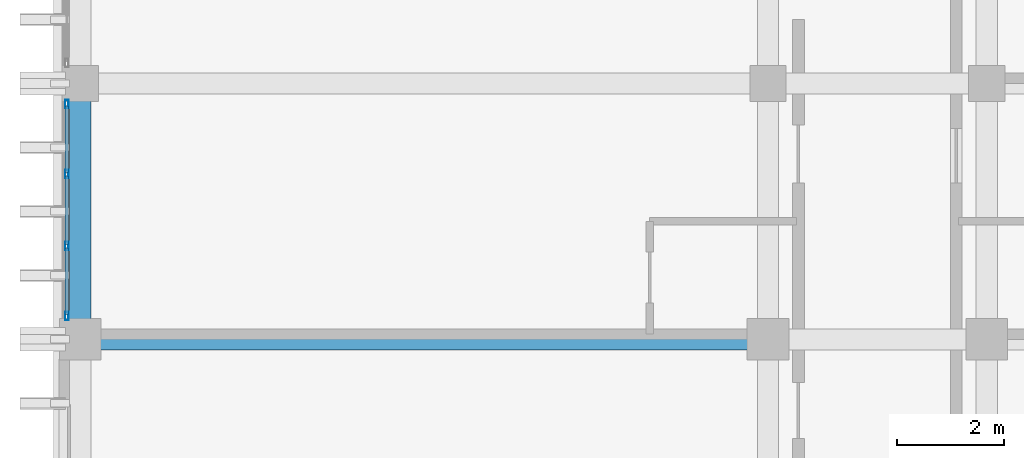
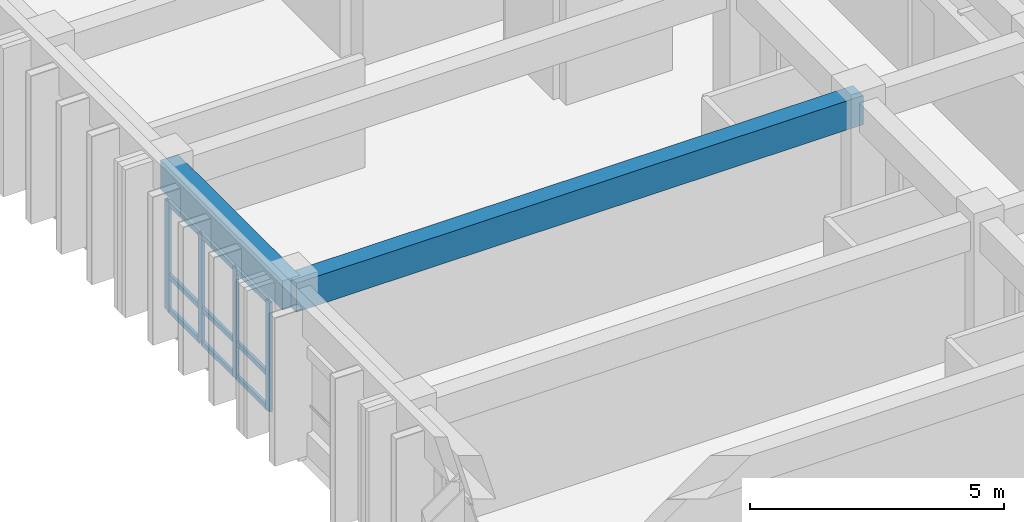
# One storey, part 20 of 68: 13 members, 2 beams, 1 element without a shape of its own.
"""IFC4 building model written with IfcOpenShell, lengths in metres."""

from ifc_helpers import new_model, si_unit, direction, frame, origin, origin_2d, place, context, subcontext, project, spatial, rectangle, hollow_rectangle, extrude, material, layer, layer_set, material_profile, profile_set, type_object, element, aggregate, save


model = new_model("IFC4")

# Units and contexts
model_context = context("Model", 3, precision=1e-05, world=origin(), true_north=direction((0.0, 1.0)))
body_context = subcontext(model_context, "Body", "Model", "MODEL_VIEW")
ifc_project = project(units=[si_unit("LENGTHUNIT", "METRE"), si_unit("AREAUNIT", "SQUARE_METRE"), si_unit("VOLUMEUNIT", "CUBIC_METRE"), si_unit("PLANEANGLEUNIT", "RADIAN"), si_unit("MASSUNIT", "GRAM", prefix="KILO")], contexts=[model_context])

# Site, building, storey
site_placement = place(None, origin())
site = spatial("IfcSite", under=ifc_project, at=site_placement, CompositionType="ELEMENT")
building_placement = place(site_placement, origin())
building = spatial("IfcBuilding", under=site, at=building_placement, Name="Nakhvara Creek Congress Hotel", CompositionType="ELEMENT")
storey_placement = place(building_placement, frame((0.0, 0.0, 24.60009765625)))
storey = spatial("IfcBuildingStorey", under=building, at=storey_placement, Name="L05", CompositionType="ELEMENT", Elevation=24.60009765625)

# Beams
ifc_material_1 = material(Name="Concrete C40/50", Category="concrete")
ifc_material_profile_1 = material_profile(ifc_material_1, rectangle(XDim=0.39990234375, YDim=0.699951171875, at=origin_2d()), Name="RC-BM 400x700", Category="LoadBearing")
ifc_profile_set_1 = profile_set([ifc_material_profile_1], Name="Concrete C40/50")
beam_type = type_object("IfcBeamType", Name="BM-RC-400X700", PredefinedType="BEAM", material=ifc_profile_set_1)
beam_1_placement = place(storey_placement, frame((149.449951171875, 67.199951171875, 2.989990234375), z_axis=(1.0, 0.0, 0.0), x_axis=(0.0, 1.0, 0.0)))
element("IfcBeam", 1, at=beam_1_placement, inside=storey, type_object=beam_type, Name="Beam B05-L05-2069", PredefinedType="BEAM", context=body_context, shape_type="SweptSolid", body=[
    extrude(rectangle(XDim=0.39990234375, YDim=0.699951171875, at=origin_2d()), origin(), (0.0, 0.0, 1.0), 12.900146484375),
])
beam_2_placement = place(storey_placement, frame((149.449951171875, 67.199951171875, 2.989990234375), z_axis=(0.0, 1.0, 0.0), x_axis=(-1.0, 0.0, 0.0)))
element("IfcBeam", 2, at=beam_2_placement, inside=storey, type_object=beam_type, Name="Beam B05-L05-2071", PredefinedType="BEAM", context=body_context, shape_type="SweptSolid", body=[
    extrude(rectangle(XDim=0.39990234375, YDim=0.699951171875, at=origin_2d()), origin(), (0.0, 0.0, 1.0), 4.800048828125),
])

# Curtain wall, members
ifc_material_2 = material(Name="Bronze-anodised aluminium AW-6063-T6 and double-silver low-E glass", Category="aluminium")
ifc_layer = layer(ifc_material_2, 0.199951171875)
ifc_layer_set = layer_set([ifc_layer], Name="Bronze-anodised aluminium AW-6063-T6 and double-silver low-E glass")
curtain_wall_type = type_object("IfcCurtainWallType", Name="CW-HTL-UNIT", PredefinedType="USERDEFINED", material=ifc_layer_set)
curtain_wall_placement = place(storey_placement, origin())
curtain_wall = element("IfcCurtainWall", 3, at=curtain_wall_placement, inside=storey, type_object=curtain_wall_type, Name="Curtain Wall CW213", ObjectType="UNITISED", PredefinedType="USERDEFINED")
ifc_material_3 = material(Name="Bronze-anodised aluminium AW-6063-T6", Category="aluminium")
ifc_material_profile_2 = material_profile(ifc_material_3, hollow_rectangle(XDim=0.06494140625, YDim=0.159912109375, WallThickness=0.00390625, at=origin_2d()), Name="ALU-MULL 65x160x4", Category="LoadBearing")
ifc_profile_set_2 = profile_set([ifc_material_profile_2], Name="Bronze-anodised aluminium AW-6063-T6")
member_type_1 = type_object("IfcMemberType", Name="CW-MULL-160", PredefinedType="MULLION", material=ifc_profile_set_2)
member_1_placement = place(storey_placement, frame((149.199951171875, 67.637451171875, 0.0), z_axis=(0.0, 0.0, 1.0), x_axis=(-1.0, 0.0, 0.0)))
member_1 = element("IfcMember", 4, at=member_1_placement, type_object=member_type_1, Name="CW213 mullion 1", PredefinedType="MULLION", context=body_context, shape_type="SweptSolid", body=[
    extrude(hollow_rectangle(XDim=0.06494140625, YDim=0.159912109375, WallThickness=0.00390625, at=origin_2d()), origin(), (0.0, 0.0, 1.0), 2.6318359375),
])
member_2_placement = place(storey_placement, frame((149.199951171875, 68.95166015625, 0.0), z_axis=(0.0, 0.0, 1.0), x_axis=(-1.0, 0.0, 0.0)))
member_2 = element("IfcMember", 5, at=member_2_placement, type_object=member_type_1, Name="CW213 mullion 2", PredefinedType="MULLION", context=body_context, shape_type="SweptSolid", body=[
    extrude(hollow_rectangle(XDim=0.06494140625, YDim=0.159912109375, WallThickness=0.00390625, at=origin_2d()), origin(), (0.0, 0.0, 1.0), 2.6318359375),
])
member_3_placement = place(storey_placement, frame((149.199951171875, 70.29833984375, 0.0), z_axis=(0.0, 0.0, 1.0), x_axis=(-1.0, 0.0, 0.0)))
member_3 = element("IfcMember", 6, at=member_3_placement, type_object=member_type_1, Name="CW213 mullion 3", PredefinedType="MULLION", context=body_context, shape_type="SweptSolid", body=[
    extrude(hollow_rectangle(XDim=0.06494140625, YDim=0.159912109375, WallThickness=0.00390625, at=origin_2d()), origin(), (0.0, 0.0, 1.0), 2.6318359375),
])
member_4_placement = place(storey_placement, frame((149.199951171875, 71.612548828125, 0.0), z_axis=(0.0, 0.0, 1.0), x_axis=(-1.0, 0.0, 0.0)))
member_4 = element("IfcMember", 7, at=member_4_placement, type_object=member_type_1, Name="CW213 mullion 4", PredefinedType="MULLION", context=body_context, shape_type="SweptSolid", body=[
    extrude(hollow_rectangle(XDim=0.06494140625, YDim=0.159912109375, WallThickness=0.00390625, at=origin_2d()), origin(), (0.0, 0.0, 1.0), 2.6318359375),
])
ifc_material_profile_3 = material_profile(ifc_material_3, hollow_rectangle(XDim=0.06494140625, YDim=0.1201171875, WallThickness=0.00390625, at=origin_2d()), Name="ALU-TRAN 65x120x4", Category="LoadBearing")
ifc_profile_set_3 = profile_set([ifc_material_profile_3], Name="Bronze-anodised aluminium AW-6063-T6")
member_type_2 = type_object("IfcMemberType", Name="CW-TRAN-120", PredefinedType="USERDEFINED", material=ifc_profile_set_3)
member_5_placement = place(storey_placement, frame((149.199951171875, 67.669921875, 0.032470703125), z_axis=(0.0, 1.0, 0.0), x_axis=(-1.0, 0.0, 0.0)))
member_5 = element("IfcMember", 8, at=member_5_placement, type_object=member_type_2, Name="CW213 transom 1.1", ObjectType="TRANSOM", PredefinedType="USERDEFINED", context=body_context, shape_type="SweptSolid", body=[
    extrude(hollow_rectangle(XDim=0.06494140625, YDim=0.1201171875, WallThickness=0.00390625, at=origin_2d()), origin(), (0.0, 0.0, 1.0), 1.249267578125),
])
member_6_placement = place(storey_placement, frame((149.199951171875, 67.669921875, 0.849853515625), z_axis=(0.0, 1.0, 0.0), x_axis=(-1.0, 0.0, 0.0)))
member_6 = element("IfcMember", 9, at=member_6_placement, type_object=member_type_2, Name="CW213 transom 1.2", ObjectType="TRANSOM", PredefinedType="USERDEFINED", context=body_context, shape_type="SweptSolid", body=[
    extrude(hollow_rectangle(XDim=0.06494140625, YDim=0.1201171875, WallThickness=0.00390625, at=origin_2d()), origin(), (0.0, 0.0, 1.0), 1.249267578125),
])
member_7_placement = place(storey_placement, frame((149.199951171875, 67.669921875, 2.599365234375), z_axis=(0.0, 1.0, 0.0), x_axis=(-1.0, 0.0, 0.0)))
member_7 = element("IfcMember", 10, at=member_7_placement, type_object=member_type_2, Name="CW213 transom 1.3", ObjectType="TRANSOM", PredefinedType="USERDEFINED", context=body_context, shape_type="SweptSolid", body=[
    extrude(hollow_rectangle(XDim=0.06494140625, YDim=0.1201171875, WallThickness=0.00390625, at=origin_2d()), origin(), (0.0, 0.0, 1.0), 1.249267578125),
])
member_8_placement = place(storey_placement, frame((149.199951171875, 68.984130859375, 0.032470703125), z_axis=(0.0, 1.0, 0.0), x_axis=(-1.0, 0.0, 0.0)))
member_8 = element("IfcMember", 11, at=member_8_placement, type_object=member_type_2, Name="CW213 transom 2.1", ObjectType="TRANSOM", PredefinedType="USERDEFINED", context=body_context, shape_type="SweptSolid", body=[
    extrude(hollow_rectangle(XDim=0.06494140625, YDim=0.1201171875, WallThickness=0.00390625, at=origin_2d()), origin(), (0.0, 0.0, 1.0), 1.28173828125),
])
member_9_placement = place(storey_placement, frame((149.199951171875, 68.984130859375, 0.849853515625), z_axis=(0.0, 1.0, 0.0), x_axis=(-1.0, 0.0, 0.0)))
member_9 = element("IfcMember", 12, at=member_9_placement, type_object=member_type_2, Name="CW213 transom 2.2", ObjectType="TRANSOM", PredefinedType="USERDEFINED", context=body_context, shape_type="SweptSolid", body=[
    extrude(hollow_rectangle(XDim=0.06494140625, YDim=0.1201171875, WallThickness=0.00390625, at=origin_2d()), origin(), (0.0, 0.0, 1.0), 1.28173828125),
])
member_10_placement = place(storey_placement, frame((149.199951171875, 68.984130859375, 2.599365234375), z_axis=(0.0, 1.0, 0.0), x_axis=(-1.0, 0.0, 0.0)))
member_10 = element("IfcMember", 13, at=member_10_placement, type_object=member_type_2, Name="CW213 transom 2.3", ObjectType="TRANSOM", PredefinedType="USERDEFINED", context=body_context, shape_type="SweptSolid", body=[
    extrude(hollow_rectangle(XDim=0.06494140625, YDim=0.1201171875, WallThickness=0.00390625, at=origin_2d()), origin(), (0.0, 0.0, 1.0), 1.28173828125),
])
member_11_placement = place(storey_placement, frame((149.199951171875, 70.330810546875, 0.032470703125), z_axis=(0.0, 1.0, 0.0), x_axis=(-1.0, 0.0, 0.0)))
member_11 = element("IfcMember", 14, at=member_11_placement, type_object=member_type_2, Name="CW213 transom 3.1", ObjectType="TRANSOM", PredefinedType="USERDEFINED", context=body_context, shape_type="SweptSolid", body=[
    extrude(hollow_rectangle(XDim=0.06494140625, YDim=0.1201171875, WallThickness=0.00390625, at=origin_2d()), origin(), (0.0, 0.0, 1.0), 1.249267578125),
])
member_12_placement = place(storey_placement, frame((149.199951171875, 70.330810546875, 0.849853515625), z_axis=(0.0, 1.0, 0.0), x_axis=(-1.0, 0.0, 0.0)))
member_12 = element("IfcMember", 15, at=member_12_placement, type_object=member_type_2, Name="CW213 transom 3.2", ObjectType="TRANSOM", PredefinedType="USERDEFINED", context=body_context, shape_type="SweptSolid", body=[
    extrude(hollow_rectangle(XDim=0.06494140625, YDim=0.1201171875, WallThickness=0.00390625, at=origin_2d()), origin(), (0.0, 0.0, 1.0), 1.249267578125),
])
member_13_placement = place(storey_placement, frame((149.199951171875, 70.330810546875, 2.599365234375), z_axis=(0.0, 1.0, 0.0), x_axis=(-1.0, 0.0, 0.0)))
member_13 = element("IfcMember", 16, at=member_13_placement, type_object=member_type_2, Name="CW213 transom 3.3", ObjectType="TRANSOM", PredefinedType="USERDEFINED", context=body_context, shape_type="SweptSolid", body=[
    extrude(hollow_rectangle(XDim=0.06494140625, YDim=0.1201171875, WallThickness=0.00390625, at=origin_2d()), origin(), (0.0, 0.0, 1.0), 1.249267578125),
])
aggregate(curtain_wall, [member_1, member_2, member_3, member_4, member_5, member_6, member_7, member_8, member_9, member_10, member_11, member_12, member_13])

save(model, "model.ifc")
